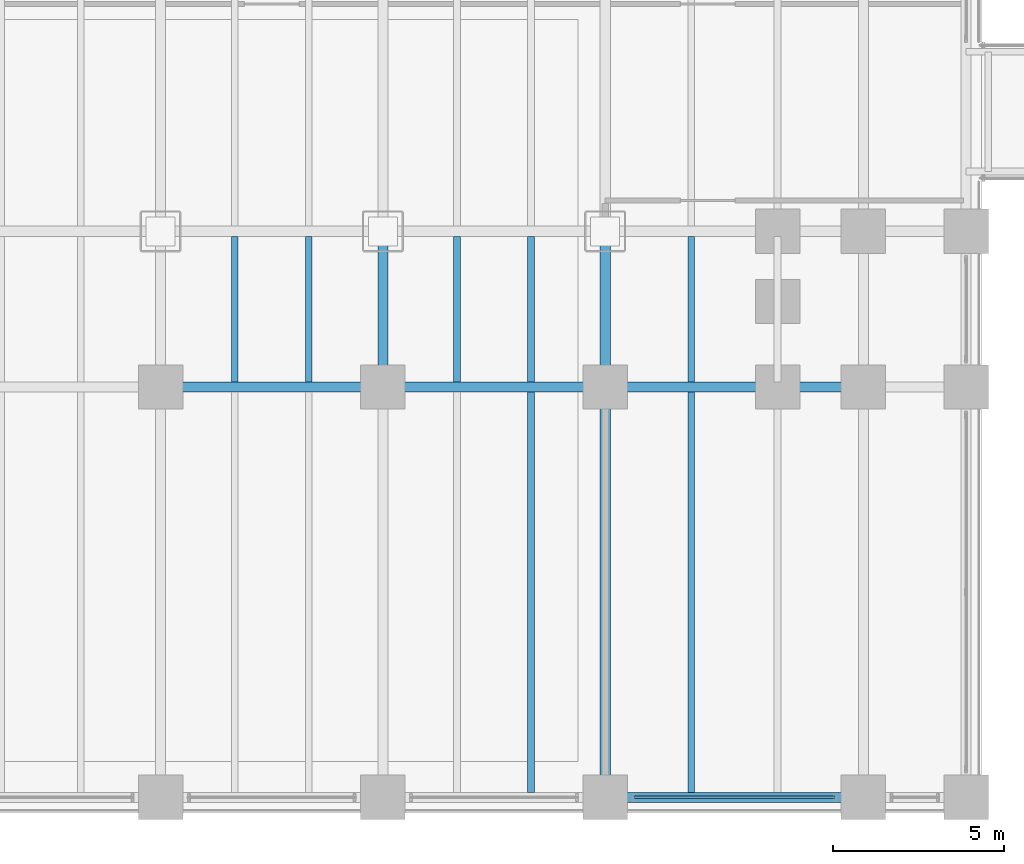
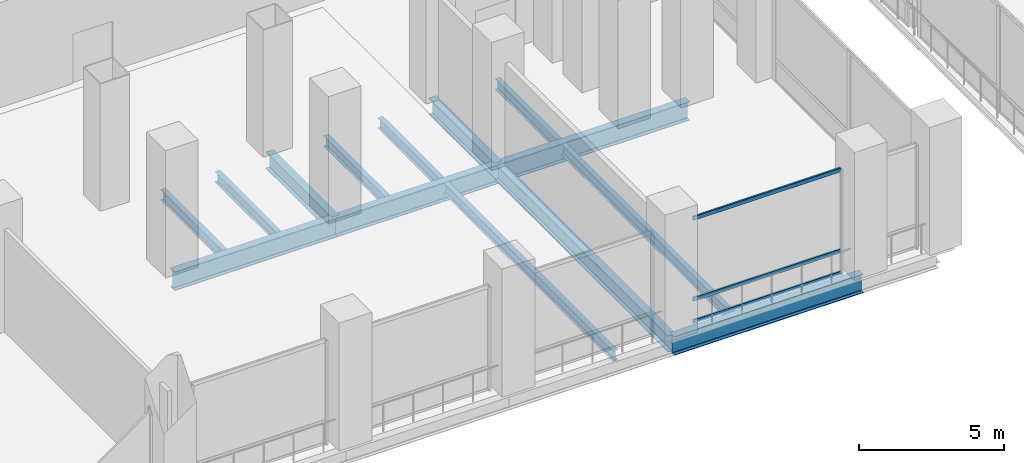
# One storey, part 10 of 31: 14 beams, 3 members, 1 element without a shape of its own.
"""IFC4 building model written with IfcOpenShell, lengths in metres."""

import ifcopenshell
import ifcopenshell.guid

model = None  # the IFC model being written
_history = None  # IfcOwnerHistory: only IFC2X3 demands one
_inside = {}  # id of a spatial element -> (the spatial element, [elements in it])
_under = {}  # id of a project, library or spatial element -> (it, [spatial elements below it])
_declared = {}  # id of a project -> (the project, [libraries it declares])
_typed = {}  # id of a type object -> (the type object, [elements of that type])
_made_of = {}  # id of a material, layer set ... -> (it, [elements and type objects made of it])


def new_model(schema):
    """Start an empty IFC model of exactly this schema.

    Asked for "IFC4X3", IfcOpenShell would pick the latest addendum, in which some entities
    have other attributes; the version numbers below select the first issue.
    IFC2X3 requires an IfcOwnerHistory on every rooted entity: one is made here for all.
    """
    global model, _history
    if schema == "IFC4X3":
        model = ifcopenshell.file(schema_version=(4, 3, 0, 0))
    else:
        model = ifcopenshell.file(schema=schema)
    _inside.clear()
    _under.clear()
    _declared.clear()
    _typed.clear()
    _made_of.clear()
    _history = None
    if model.schema == "IFC2X3":
        org = make("IfcOrganization", Name="unknown")
        user = make(
            "IfcPersonAndOrganization",
            ThePerson=make("IfcPerson", FamilyName="unknown"),
            TheOrganization=org,
        )
        app = make(
            "IfcApplication",
            ApplicationDeveloper=org,
            Version="unknown",
            ApplicationFullName="unknown",
            ApplicationIdentifier="unknown",
        )
        _history = make(
            "IfcOwnerHistory",
            OwningUser=user,
            OwningApplication=app,
            ChangeAction="ADDED",
            CreationDate=0,
        )
    return model


def make(cls, **values):
    """One entity of the class cls with the attributes given. An attribute that is None is left unset."""
    return model.create_entity(
        cls, **{name: value for name, value in values.items() if value is not None}
    )


def rooted(cls, **values):
    """An entity with a GlobalId (a new one), such as an element, a storey or a relation."""
    return make(cls, GlobalId=ifcopenshell.guid.new(), OwnerHistory=_history, **values)


def si_unit(unit_type, name, prefix=None):
    """IfcSIUnit, for example si_unit("LENGTHUNIT", "METRE", prefix="MILLI")."""
    return make("IfcSIUnit", UnitType=unit_type, Prefix=prefix, Name=name)


def assignment(units):
    """IfcUnitAssignment: the units of a project."""
    return None if units is None else make("IfcUnitAssignment", Units=units)


def point(xyz):
    """IfcCartesianPoint."""
    return None if xyz is None else make("IfcCartesianPoint", Coordinates=xyz)


def direction(xyz):
    """IfcDirection."""
    return None if xyz is None else make("IfcDirection", DirectionRatios=xyz)


def frame(location, z_axis=None, x_axis=None):
    """IfcAxis2Placement3D, a coordinate frame: its origin and axes. An axis left out is left unset."""
    return make(
        "IfcAxis2Placement3D",
        Location=point(location),
        Axis=direction(z_axis),
        RefDirection=direction(x_axis),
    )


def frame_2d(location, x_axis=None):
    """IfcAxis2Placement2D, a coordinate frame in the plane: its origin and x axis."""
    return make(
        "IfcAxis2Placement2D", Location=point(location), RefDirection=direction(x_axis)
    )


def origin():
    """The frame at (0, 0, 0) with its axes left unset."""
    return frame((0.0, 0.0, 0.0))


def origin_2d():
    """The frame at (0, 0) in the plane with its x axis left unset."""
    return frame_2d((0.0, 0.0))


def place(relative_to, where):
    """IfcLocalPlacement: puts the frame where relative to a parent placement (None: the world)."""
    return make(
        "IfcLocalPlacement", PlacementRelTo=relative_to, RelativePlacement=where
    )


def context(
    kind, dimensions, precision=None, world=None, true_north=None, identifier=None
):
    """IfcGeometricRepresentationContext, for example the 3D "Model" context."""
    return make(
        "IfcGeometricRepresentationContext",
        ContextIdentifier=identifier,
        ContextType=kind,
        CoordinateSpaceDimension=dimensions,
        Precision=precision,
        WorldCoordinateSystem=world,
        TrueNorth=true_north,
    )


def subcontext(parent, identifier, kind, view, scale=None):
    """IfcGeometricRepresentationSubContext, for example "Body" below "Model"."""
    return make(
        "IfcGeometricRepresentationSubContext",
        ContextIdentifier=identifier,
        ContextType=kind,
        ParentContext=parent,
        TargetScale=scale,
        TargetView=view,
    )


def project(units=None, contexts=None):
    """IfcProject with its units and contexts."""
    return rooted(
        "IfcProject",
        Name="project",
        RepresentationContexts=contexts,
        UnitsInContext=assignment(units),
    )


def spatial(cls, under=None, at=None, **own):
    """A site, building, storey or space (cls), placed at a placement, below another one or the project."""
    s = rooted(cls, ObjectPlacement=at, **own)
    if under is not None:
        _under.setdefault(under.id(), (under, []))[1].append(s)
    return s


def profile(cls, at=None, kind="AREA", **sizes):
    """A parametric profile (cls). Its sizes go by their IFC names, for example OverallWidth=200.0."""
    return make(cls, ProfileType=kind, Position=at, **sizes)


def hollow_rectangle(**sizes):
    """IfcRectangleHollowProfileDef."""
    return profile("IfcRectangleHollowProfileDef", **sizes)


def i_section(**sizes):
    """IfcIShapeProfileDef."""
    return profile("IfcIShapeProfileDef", **sizes)


def extrude(swept, where, along, depth):
    """IfcExtrudedAreaSolid: the profile swept, set in the frame where, extruded along a direction by depth."""
    return make(
        "IfcExtrudedAreaSolid",
        SweptArea=swept,
        Position=where,
        ExtrudedDirection=direction(along),
        Depth=depth,
    )


def shape(context_of_items, identifier, shape_type, items):
    """IfcShapeRepresentation: the items that make up one representation, for example the "Body"."""
    return make(
        "IfcShapeRepresentation",
        ContextOfItems=context_of_items,
        RepresentationIdentifier=identifier,
        RepresentationType=shape_type,
        Items=items,
    )


def material(Name=None, Category=None):
    """IfcMaterial."""
    return make("IfcMaterial", Name=Name, Category=Category)


def material_profile(
    of_material, cross_section, Name=None, Category=None, Priority=None
):
    """IfcMaterialProfile: a cross section and its material."""
    return make(
        "IfcMaterialProfile",
        Name=Name,
        Material=of_material,
        Profile=cross_section,
        Priority=Priority,
        Category=Category,
    )


def profile_set(profiles, Name=None, composite=None):
    """IfcMaterialProfileSet."""
    return make(
        "IfcMaterialProfileSet",
        Name=Name,
        MaterialProfiles=profiles,
        CompositeProfile=composite,
    )


def made_of(thing, what):
    """Note that an element or type object is made of a material, layer set ...; save() writes the relation."""
    if what is not None:
        _made_of.setdefault(what.id(), (what, []))[1].append(thing)
    return thing


def type_object(cls, material=None, **own):
    """A type object (cls), such as IfcWallType, which elements share."""
    return made_of(rooted(cls, **own), material)


def element(
    cls,
    number,
    at=None,
    inside=None,
    cuts=None,
    type_object=None,
    material=None,
    context=None,
    identifier="Body",
    shape_type=None,
    held_by="IfcProductDefinitionShape",
    body=None,
    shapes=None,
    **own,
):
    """One element of the class cls, such as IfcWall. Its Tag is "e" and its number.

    at: its placement. inside: the storey or other place that contains it. cuts: it is an
    opening in that element (IfcRelVoidsElement). A single representation is given by context,
    identifier, shape_type and body (its items); several are given by shapes. held_by: the class
    of the entity that holds the representations. save() writes the other relations.
    """
    e = rooted(cls, Tag="e%d" % number, ObjectPlacement=at, **own)
    if body is not None:
        shapes = [shape(context, identifier, shape_type, body)]
    if shapes is not None:
        e.Representation = make(held_by, Representations=shapes)
    if inside is not None:
        _inside.setdefault(inside.id(), (inside, []))[1].append(e)
    if cuts is not None:
        rooted(
            "IfcRelVoidsElement", RelatingBuildingElement=cuts, RelatedOpeningElement=e
        )
    if type_object is not None:
        _typed.setdefault(type_object.id(), (type_object, []))[1].append(e)
    return made_of(e, material)


def aggregate(whole, parts):
    """IfcRelAggregates: a whole, such as a stair, and the parts it consists of."""
    return rooted("IfcRelAggregates", RelatingObject=whole, RelatedObjects=parts)


def save(model, path):
    """Write the relations noted so far, then the file.

    IfcRelAggregates (storeys below a building ...), IfcRelContainedInSpatialStructure (elements
    in a storey), IfcRelDefinesByType, IfcRelAssociatesMaterial and IfcRelDeclares: one each for
    every whole, place, type object, material and project.
    """
    for whole, parts in _under.values():
        aggregate(whole, parts)
    for where, things in _inside.values():
        rooted(
            "IfcRelContainedInSpatialStructure",
            RelatedElements=things,
            RelatingStructure=where,
        )
    for kind, things in _typed.values():
        rooted("IfcRelDefinesByType", RelatedObjects=things, RelatingType=kind)
    for what, things in _made_of.values():
        rooted("IfcRelAssociatesMaterial", RelatedObjects=things, RelatingMaterial=what)
    for by, libraries in _declared.values():
        rooted("IfcRelDeclares", RelatingContext=by, RelatedDefinitions=libraries)
    model.write(path)


model = new_model("IFC4")

# Units and contexts
model_context = context("Model", 3, precision=1e-05, world=origin(), true_north=direction((0.0, 1.0)))
body_context = subcontext(model_context, "Body", "Model", "MODEL_VIEW")
ifc_project = project(units=[si_unit("LENGTHUNIT", "METRE"), si_unit("AREAUNIT", "SQUARE_METRE"), si_unit("VOLUMEUNIT", "CUBIC_METRE"), si_unit("PLANEANGLEUNIT", "RADIAN"), si_unit("MASSUNIT", "GRAM", prefix="KILO")], contexts=[model_context])

# Site, building, storey
site_placement = place(None, origin())
site = spatial("IfcSite", under=ifc_project, at=site_placement, CompositionType="ELEMENT")
building_placement = place(site_placement, origin())
building = spatial("IfcBuilding", under=site, at=building_placement, Name="Noeulbin Bourse Tower", CompositionType="ELEMENT")
storey_placement = place(building_placement, frame((0.0, 0.0, 11.199951171875)))
storey = spatial("IfcBuildingStorey", under=building, at=storey_placement, Name="L03", CompositionType="ELEMENT", Elevation=11.199951171875)

# Beams
ifc_material_1 = material(Name="Steel S355", Category="steel")
ifc_material_profile_1 = material_profile(ifc_material_1, i_section(OverallWidth=0.300048828125, OverallDepth=0.699951171875, WebThickness=0.012939453125, FlangeThickness=0.02392578125, FilletRadius=0.02392578125, at=origin_2d()), Name="H-700x300x13x24", Category="LoadBearing")
ifc_profile_set_1 = profile_set([ifc_material_profile_1], Name="Steel S355")
beam_type_1 = type_object("IfcBeamType", Name="BM-GRD-700", PredefinedType="USERDEFINED", material=ifc_profile_set_1)
beam_1_placement = place(storey_placement, frame((37.5, 15.449951171875, -0.599853515625), z_axis=(0.0, 1.0, 0.0), x_axis=(-1.0, 0.0, 0.0)))
element("IfcBeam", 1, at=beam_1_placement, inside=storey, type_object=beam_type_1, Name="Podium Primary Girder NS L03-086", ObjectType="GIRDER", PredefinedType="USERDEFINED", context=body_context, shape_type="SweptSolid", body=[
    extrude(i_section(OverallWidth=0.300048828125, OverallDepth=0.699951171875, WebThickness=0.012939453125, FlangeThickness=0.02392578125, FilletRadius=0.02392578125, at=origin_2d()), origin(), (0.0, 0.0, 1.0), 4.550048828125),
])
beam_2_placement = place(storey_placement, frame((44.0, 3.449951171875, -0.599853515625), z_axis=(0.0, 1.0, 0.0), x_axis=(-1.0, 0.0, 0.0)))
element("IfcBeam", 2, at=beam_2_placement, inside=storey, type_object=beam_type_1, Name="Podium Primary Girder NS L03-090", ObjectType="GIRDER", PredefinedType="USERDEFINED", context=body_context, shape_type="SweptSolid", body=[
    extrude(i_section(OverallWidth=0.300048828125, OverallDepth=0.699951171875, WebThickness=0.012939453125, FlangeThickness=0.02392578125, FilletRadius=0.02392578125, at=origin_2d()), origin(), (0.0, 0.0, 1.0), 12.0),
])
beam_3_placement = place(storey_placement, frame((44.0, 15.449951171875, -0.599853515625), z_axis=(0.0, 1.0, 0.0), x_axis=(-1.0, 0.0, 0.0)))
element("IfcBeam", 3, at=beam_3_placement, inside=storey, type_object=beam_type_1, Name="Podium Primary Girder NS L03-091", ObjectType="GIRDER", PredefinedType="USERDEFINED", context=body_context, shape_type="SweptSolid", body=[
    extrude(i_section(OverallWidth=0.300048828125, OverallDepth=0.699951171875, WebThickness=0.012939453125, FlangeThickness=0.02392578125, FilletRadius=0.02392578125, at=origin_2d()), origin(), (0.0, 0.0, 1.0), 4.550048828125),
])
ifc_material_profile_2 = material_profile(ifc_material_1, i_section(OverallWidth=0.300048828125, OverallDepth=0.800048828125, WebThickness=0.013916015625, FlangeThickness=0.02587890625, FilletRadius=0.02587890625, at=origin_2d()), Name="H-800x300x14x26", Category="LoadBearing")
ifc_profile_set_2 = profile_set([ifc_material_profile_2], Name="Steel S355")
beam_type_2 = type_object("IfcBeamType", Name="BM-GRD-800", PredefinedType="USERDEFINED", material=ifc_profile_set_2)
beam_4_placement = place(storey_placement, frame((44.0, 3.449951171875, -0.64990234375), z_axis=(1.0, 0.0, 0.0), x_axis=(0.0, 1.0, 0.0)))
element("IfcBeam", 4, at=beam_4_placement, inside=storey, type_object=beam_type_2, Name="Podium Primary Girder EW L03-007", ObjectType="GIRDER", PredefinedType="USERDEFINED", context=body_context, shape_type="SweptSolid", body=[
    extrude(i_section(OverallWidth=0.300048828125, OverallDepth=0.800048828125, WebThickness=0.013916015625, FlangeThickness=0.02587890625, FilletRadius=0.02587890625, at=origin_2d()), origin(), (0.0, 0.0, 1.0), 7.550048828125),
])
for number, where, z_axis, x_axis, name in (
    (5, (31.0, 15.449951171875, -0.64990234375), (1.0, 0.0, 0.0), (0.0, 1.0, 0.0), "Podium Primary Girder EW L03-013"),
    (6, (37.5, 15.449951171875, -0.64990234375), (1.0, 0.0, 0.0), (0.0, 1.0, 0.0), "Podium Primary Girder EW L03-014"),
):
    element("IfcBeam", number, at=place(storey_placement, frame(where, z_axis=z_axis, x_axis=x_axis)), inside=storey, type_object=beam_type_2, Name=name, ObjectType="GIRDER", PredefinedType="USERDEFINED", context=body_context, shape_type="SweptSolid", body=[
        extrude(i_section(OverallWidth=0.300048828125, OverallDepth=0.800048828125, WebThickness=0.013916015625, FlangeThickness=0.02587890625, FilletRadius=0.02587890625, at=origin_2d()), origin(), (0.0, 0.0, 1.0), 6.5),
    ])
beam_5_placement = place(storey_placement, frame((44.0, 15.449951171875, -0.64990234375), z_axis=(1.0, 0.0, 0.0), x_axis=(0.0, 1.0, 0.0)))
element("IfcBeam", 7, at=beam_5_placement, inside=storey, type_object=beam_type_2, Name="Podium Primary Girder EW L03-015", ObjectType="GIRDER", PredefinedType="USERDEFINED", context=body_context, shape_type="SweptSolid", body=[
    extrude(i_section(OverallWidth=0.300048828125, OverallDepth=0.800048828125, WebThickness=0.013916015625, FlangeThickness=0.02587890625, FilletRadius=0.02587890625, at=origin_2d()), origin(), (0.0, 0.0, 1.0), 7.550048828125),
])
ifc_material_profile_3 = material_profile(ifc_material_1, i_section(OverallWidth=0.199951171875, OverallDepth=0.449951171875, WebThickness=0.009033203125, FlangeThickness=0.013916015625, FilletRadius=0.01806640625, at=origin_2d()), Name="H-450x200x9x14", Category="LoadBearing")
ifc_profile_set_3 = profile_set([ifc_material_profile_3], Name="Steel S355")
beam_type_3 = type_object("IfcBeamType", Name="BM-SEC-450", PredefinedType="BEAM", material=ifc_profile_set_3)
for number, where, z_axis, x_axis, name in (
    (8, (33.166748046875, 15.60009765625, -0.474853515625), (0.0, 1.0, 0.0), (-1.0, 0.0, 0.0), "Podium Secondary Beam L03-054"),
    (9, (35.333251953125, 15.60009765625, -0.474853515625), (0.0, 1.0, 0.0), (-1.0, 0.0, 0.0), "Podium Secondary Beam L03-059"),
    (10, (39.666748046875, 15.60009765625, -0.474853515625), (0.0, 1.0, 0.0), (-1.0, 0.0, 0.0), "Podium Secondary Beam L03-064"),
):
    element("IfcBeam", number, at=place(storey_placement, frame(where, z_axis=z_axis, x_axis=x_axis)), inside=storey, type_object=beam_type_3, Name=name, PredefinedType="BEAM", context=body_context, shape_type="SweptSolid", body=[
        extrude(i_section(OverallWidth=0.199951171875, OverallDepth=0.449951171875, WebThickness=0.009033203125, FlangeThickness=0.013916015625, FilletRadius=0.01806640625, at=origin_2d()), origin(), (0.0, 0.0, 1.0), 4.25),
    ])
beam_6_placement = place(storey_placement, frame((41.833251953125, 3.60009765625, -0.474853515625), z_axis=(0.0, 1.0, 0.0), x_axis=(-1.0, 0.0, 0.0)))
element("IfcBeam", 11, at=beam_6_placement, inside=storey, type_object=beam_type_3, Name="Podium Secondary Beam L03-068", PredefinedType="BEAM", context=body_context, shape_type="SweptSolid", body=[
    extrude(i_section(OverallWidth=0.199951171875, OverallDepth=0.449951171875, WebThickness=0.009033203125, FlangeThickness=0.013916015625, FilletRadius=0.01806640625, at=origin_2d()), origin(), (0.0, 0.0, 1.0), 11.699951171875),
])
beam_7_placement = place(storey_placement, frame((41.833251953125, 15.60009765625, -0.474853515625), z_axis=(0.0, 1.0, 0.0), x_axis=(-1.0, 0.0, 0.0)))
element("IfcBeam", 12, at=beam_7_placement, inside=storey, type_object=beam_type_3, Name="Podium Secondary Beam L03-069", PredefinedType="BEAM", context=body_context, shape_type="SweptSolid", body=[
    extrude(i_section(OverallWidth=0.199951171875, OverallDepth=0.449951171875, WebThickness=0.009033203125, FlangeThickness=0.013916015625, FilletRadius=0.01806640625, at=origin_2d()), origin(), (0.0, 0.0, 1.0), 4.25),
])
beam_8_placement = place(storey_placement, frame((46.5166015625, 3.60009765625, -0.474853515625), z_axis=(0.0, 1.0, 0.0), x_axis=(-1.0, 0.0, 0.0)))
element("IfcBeam", 13, at=beam_8_placement, inside=storey, type_object=beam_type_3, Name="Podium Secondary Beam L03-073", PredefinedType="BEAM", context=body_context, shape_type="SweptSolid", body=[
    extrude(i_section(OverallWidth=0.199951171875, OverallDepth=0.449951171875, WebThickness=0.009033203125, FlangeThickness=0.013916015625, FilletRadius=0.01806640625, at=origin_2d()), origin(), (0.0, 0.0, 1.0), 11.699951171875),
])
beam_9_placement = place(storey_placement, frame((46.5166015625, 15.60009765625, -0.474853515625), z_axis=(0.0, 1.0, 0.0), x_axis=(-1.0, 0.0, 0.0)))
element("IfcBeam", 14, at=beam_9_placement, inside=storey, type_object=beam_type_3, Name="Podium Secondary Beam L03-074", PredefinedType="BEAM", context=body_context, shape_type="SweptSolid", body=[
    extrude(i_section(OverallWidth=0.199951171875, OverallDepth=0.449951171875, WebThickness=0.009033203125, FlangeThickness=0.013916015625, FilletRadius=0.01806640625, at=origin_2d()), origin(), (0.0, 0.0, 1.0), 4.25),
])

# Curtain wall, members
ifc_material_2 = material(Name="Laminated Clear Low-E Glass", Category="glass")
curtain_wall_type = type_object("IfcCurtainWallType", Name="CW-SYS-1", PredefinedType="NOTDEFINED", material=ifc_material_2)
curtain_wall_placement = place(storey_placement, origin())
curtain_wall = element("IfcCurtainWall", 15, at=curtain_wall_placement, inside=storey, type_object=curtain_wall_type, Name="Unitised Curtain Wall CW-L03-POD-S-S6", PredefinedType="NOTDEFINED")
ifc_material_3 = material(Name="Anodised Aluminium 6063-T6", Category="aluminium")
ifc_material_profile_4 = material_profile(ifc_material_3, hollow_rectangle(XDim=0.074951171875, YDim=0.159912109375, WallThickness=0.0048828125, InnerFilletRadius=0.00244140625, OuterFilletRadius=0.0048828125, at=origin_2d()), Name="ALU-TRAN-75x160x5", Category="LoadBearing")
ifc_profile_set_4 = profile_set([ifc_material_profile_4], Name="Anodised Aluminium 6063-T6")
member_type = type_object("IfcMemberType", Name="CW-SYS-1-TRN", PredefinedType="USERDEFINED", material=ifc_profile_set_4)
member_1_placement = place(storey_placement, frame((44.8349609375, 3.449951171875, 0.010009765625), z_axis=(1.0, 0.0, 0.0), x_axis=(0.0, 1.0, 0.0)))
member_1 = element("IfcMember", 16, at=member_1_placement, type_object=member_type, Name="Curtain Wall Transom CW-L03-POD-S-S6-T00", ObjectType="TRANSOM", PredefinedType="USERDEFINED", context=body_context, shape_type="SweptSolid", body=[
    extrude(hollow_rectangle(XDim=0.074951171875, YDim=0.159912109375, WallThickness=0.0048828125, InnerFilletRadius=0.00244140625, OuterFilletRadius=0.0048828125, at=origin_2d()), origin(), (0.0, 0.0, 1.0), 5.880126953125),
])
member_2_placement = place(storey_placement, frame((44.8349609375, 3.449951171875, 0.949951171875), z_axis=(1.0, 0.0, 0.0), x_axis=(0.0, 1.0, 0.0)))
member_2 = element("IfcMember", 17, at=member_2_placement, type_object=member_type, Name="Curtain Wall Transom CW-L03-POD-S-S6-T01", ObjectType="TRANSOM", PredefinedType="USERDEFINED", context=body_context, shape_type="SweptSolid", body=[
    extrude(hollow_rectangle(XDim=0.074951171875, YDim=0.159912109375, WallThickness=0.0048828125, InnerFilletRadius=0.00244140625, OuterFilletRadius=0.0048828125, at=origin_2d()), origin(), (0.0, 0.0, 1.0), 5.880126953125),
])
member_3_placement = place(storey_placement, frame((44.8349609375, 3.449951171875, 4.360107421875), z_axis=(1.0, 0.0, 0.0), x_axis=(0.0, 1.0, 0.0)))
member_3 = element("IfcMember", 18, at=member_3_placement, type_object=member_type, Name="Curtain Wall Transom CW-L03-POD-S-S6-T02", ObjectType="TRANSOM", PredefinedType="USERDEFINED", context=body_context, shape_type="SweptSolid", body=[
    extrude(hollow_rectangle(XDim=0.074951171875, YDim=0.159912109375, WallThickness=0.0048828125, InnerFilletRadius=0.00244140625, OuterFilletRadius=0.0048828125, at=origin_2d()), origin(), (0.0, 0.0, 1.0), 5.880126953125),
])
aggregate(curtain_wall, [member_1, member_2, member_3])

save(model, "model.ifc")
